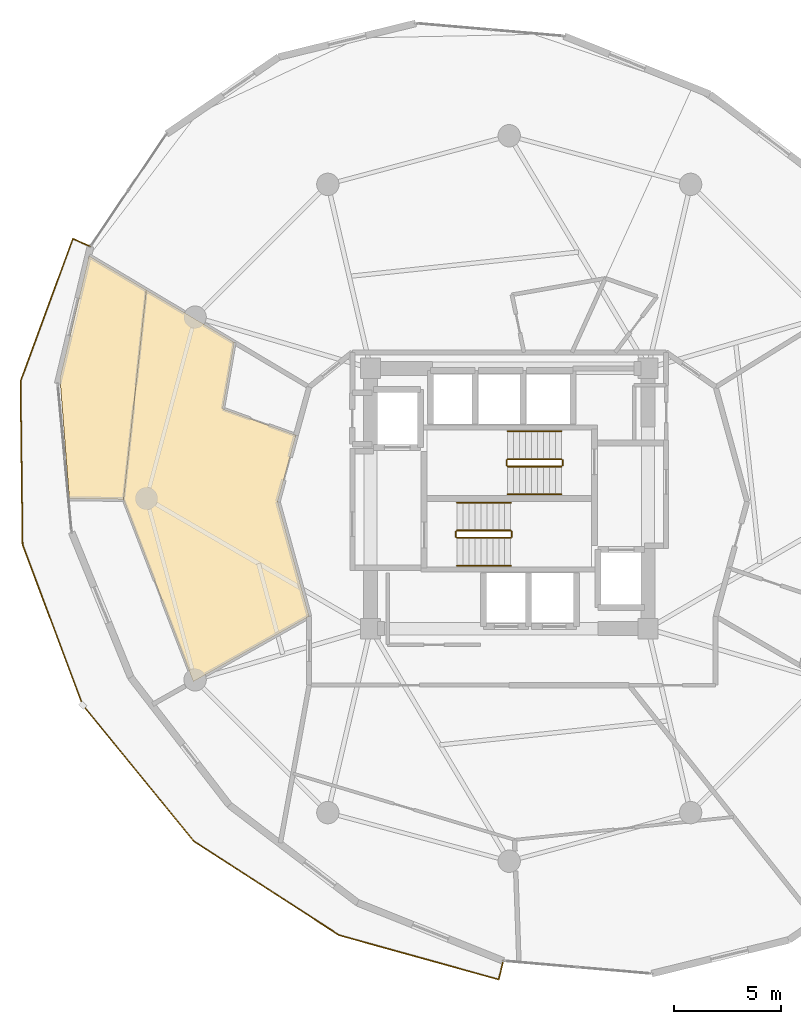
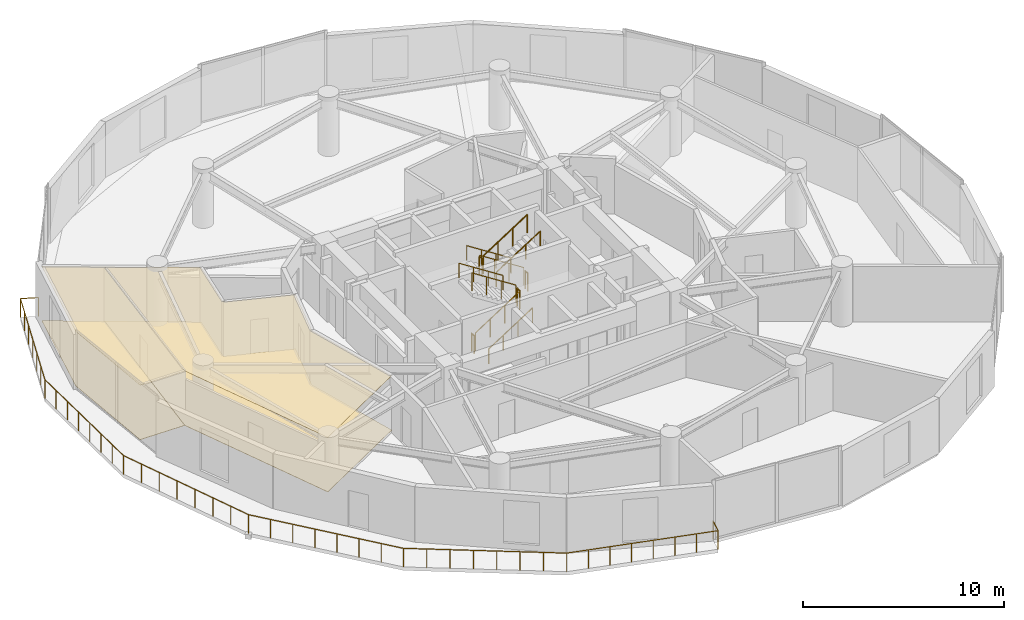
# One storey, part 21 of 22: 13 railings, 4 coverings.
"""IFC4 building model written with IfcOpenShell, lengths in metres."""

import ifcopenshell
import ifcopenshell.guid

model = None  # the IFC model being written
_history = None  # IfcOwnerHistory: only IFC2X3 demands one
_inside = {}  # id of a spatial element -> (the spatial element, [elements in it])
_under = {}  # id of a project, library or spatial element -> (it, [spatial elements below it])
_declared = {}  # id of a project -> (the project, [libraries it declares])
_typed = {}  # id of a type object -> (the type object, [elements of that type])
_made_of = {}  # id of a material, layer set ... -> (it, [elements and type objects made of it])


def new_model(schema):
    """Start an empty IFC model of exactly this schema.

    Asked for "IFC4X3", IfcOpenShell would pick the latest addendum, in which some entities
    have other attributes; the version numbers below select the first issue.
    IFC2X3 requires an IfcOwnerHistory on every rooted entity: one is made here for all.
    """
    global model, _history
    if schema == "IFC4X3":
        model = ifcopenshell.file(schema_version=(4, 3, 0, 0))
    else:
        model = ifcopenshell.file(schema=schema)
    _inside.clear()
    _under.clear()
    _declared.clear()
    _typed.clear()
    _made_of.clear()
    _history = None
    if model.schema == "IFC2X3":
        org = make("IfcOrganization", Name="unknown")
        user = make(
            "IfcPersonAndOrganization",
            ThePerson=make("IfcPerson", FamilyName="unknown"),
            TheOrganization=org,
        )
        app = make(
            "IfcApplication",
            ApplicationDeveloper=org,
            Version="unknown",
            ApplicationFullName="unknown",
            ApplicationIdentifier="unknown",
        )
        _history = make(
            "IfcOwnerHistory",
            OwningUser=user,
            OwningApplication=app,
            ChangeAction="ADDED",
            CreationDate=0,
        )
    return model


def make(cls, **values):
    """One entity of the class cls with the attributes given. An attribute that is None is left unset."""
    return model.create_entity(
        cls, **{name: value for name, value in values.items() if value is not None}
    )


def rooted(cls, **values):
    """An entity with a GlobalId (a new one), such as an element, a storey or a relation."""
    return make(cls, GlobalId=ifcopenshell.guid.new(), OwnerHistory=_history, **values)


def si_unit(unit_type, name, prefix=None):
    """IfcSIUnit, for example si_unit("LENGTHUNIT", "METRE", prefix="MILLI")."""
    return make("IfcSIUnit", UnitType=unit_type, Prefix=prefix, Name=name)


def assignment(units):
    """IfcUnitAssignment: the units of a project."""
    return None if units is None else make("IfcUnitAssignment", Units=units)


def point(xyz):
    """IfcCartesianPoint."""
    return None if xyz is None else make("IfcCartesianPoint", Coordinates=xyz)


def direction(xyz):
    """IfcDirection."""
    return None if xyz is None else make("IfcDirection", DirectionRatios=xyz)


def frame(location, z_axis=None, x_axis=None):
    """IfcAxis2Placement3D, a coordinate frame: its origin and axes. An axis left out is left unset."""
    return make(
        "IfcAxis2Placement3D",
        Location=point(location),
        Axis=direction(z_axis),
        RefDirection=direction(x_axis),
    )


def frame_2d(location, x_axis=None):
    """IfcAxis2Placement2D, a coordinate frame in the plane: its origin and x axis."""
    return make(
        "IfcAxis2Placement2D", Location=point(location), RefDirection=direction(x_axis)
    )


def origin():
    """The frame at (0, 0, 0) with its axes left unset."""
    return frame((0.0, 0.0, 0.0))


def origin_2d():
    """The frame at (0, 0) in the plane with its x axis left unset."""
    return frame_2d((0.0, 0.0))


def place(relative_to, where):
    """IfcLocalPlacement: puts the frame where relative to a parent placement (None: the world)."""
    return make(
        "IfcLocalPlacement", PlacementRelTo=relative_to, RelativePlacement=where
    )


def context(
    kind, dimensions, precision=None, world=None, true_north=None, identifier=None
):
    """IfcGeometricRepresentationContext, for example the 3D "Model" context."""
    return make(
        "IfcGeometricRepresentationContext",
        ContextIdentifier=identifier,
        ContextType=kind,
        CoordinateSpaceDimension=dimensions,
        Precision=precision,
        WorldCoordinateSystem=world,
        TrueNorth=true_north,
    )


def subcontext(parent, identifier, kind, view, scale=None):
    """IfcGeometricRepresentationSubContext, for example "Body" below "Model"."""
    return make(
        "IfcGeometricRepresentationSubContext",
        ContextIdentifier=identifier,
        ContextType=kind,
        ParentContext=parent,
        TargetScale=scale,
        TargetView=view,
    )


def project(units=None, contexts=None):
    """IfcProject with its units and contexts."""
    return rooted(
        "IfcProject",
        Name="project",
        RepresentationContexts=contexts,
        UnitsInContext=assignment(units),
    )


def spatial(cls, under=None, at=None, **own):
    """A site, building, storey or space (cls), placed at a placement, below another one or the project."""
    s = rooted(cls, ObjectPlacement=at, **own)
    if under is not None:
        _under.setdefault(under.id(), (under, []))[1].append(s)
    return s


def polyline(points):
    """IfcPolyline through the points."""
    return make("IfcPolyline", Points=[point(p) for p in points])


def profile(cls, at=None, kind="AREA", **sizes):
    """A parametric profile (cls). Its sizes go by their IFC names, for example OverallWidth=200.0."""
    return make(cls, ProfileType=kind, Position=at, **sizes)


def circle(**sizes):
    """IfcCircleProfileDef."""
    return profile("IfcCircleProfileDef", **sizes)


def outline(outer, holes=None, kind="AREA"):
    """IfcArbitraryClosedProfileDef: a profile drawn as a closed curve; with holes, ...WithVoids."""
    if holes is None:
        return make("IfcArbitraryClosedProfileDef", ProfileType=kind, OuterCurve=outer)
    return make(
        "IfcArbitraryProfileDefWithVoids",
        ProfileType=kind,
        OuterCurve=outer,
        InnerCurves=holes,
    )


def extrude(swept, where, along, depth):
    """IfcExtrudedAreaSolid: the profile swept, set in the frame where, extruded along a direction by depth."""
    return make(
        "IfcExtrudedAreaSolid",
        SweptArea=swept,
        Position=where,
        ExtrudedDirection=direction(along),
        Depth=depth,
    )


def shape(context_of_items, identifier, shape_type, items):
    """IfcShapeRepresentation: the items that make up one representation, for example the "Body"."""
    return make(
        "IfcShapeRepresentation",
        ContextOfItems=context_of_items,
        RepresentationIdentifier=identifier,
        RepresentationType=shape_type,
        Items=items,
    )


def material(Name=None, Category=None):
    """IfcMaterial."""
    return make("IfcMaterial", Name=Name, Category=Category)


def layer(
    of_material, thickness, ventilated=None, Name=None, Category=None, Priority=None
):
    """IfcMaterialLayer: one layer of a wall or slab, of a material (None: an air gap)."""
    return make(
        "IfcMaterialLayer",
        Material=of_material,
        LayerThickness=thickness,
        IsVentilated=ventilated,
        Name=Name,
        Category=Category,
        Priority=Priority,
    )


def layer_set(layers, Name=None):
    """IfcMaterialLayerSet."""
    return make("IfcMaterialLayerSet", MaterialLayers=layers, LayerSetName=Name)


def made_of(thing, what):
    """Note that an element or type object is made of a material, layer set ...; save() writes the relation."""
    if what is not None:
        _made_of.setdefault(what.id(), (what, []))[1].append(thing)
    return thing


def type_object(cls, material=None, **own):
    """A type object (cls), such as IfcWallType, which elements share."""
    return made_of(rooted(cls, **own), material)


def element(
    cls,
    number,
    at=None,
    inside=None,
    cuts=None,
    type_object=None,
    material=None,
    context=None,
    identifier="Body",
    shape_type=None,
    held_by="IfcProductDefinitionShape",
    body=None,
    shapes=None,
    **own,
):
    """One element of the class cls, such as IfcWall. Its Tag is "e" and its number.

    at: its placement. inside: the storey or other place that contains it. cuts: it is an
    opening in that element (IfcRelVoidsElement). A single representation is given by context,
    identifier, shape_type and body (its items); several are given by shapes. held_by: the class
    of the entity that holds the representations. save() writes the other relations.
    """
    e = rooted(cls, Tag="e%d" % number, ObjectPlacement=at, **own)
    if body is not None:
        shapes = [shape(context, identifier, shape_type, body)]
    if shapes is not None:
        e.Representation = make(held_by, Representations=shapes)
    if inside is not None:
        _inside.setdefault(inside.id(), (inside, []))[1].append(e)
    if cuts is not None:
        rooted(
            "IfcRelVoidsElement", RelatingBuildingElement=cuts, RelatedOpeningElement=e
        )
    if type_object is not None:
        _typed.setdefault(type_object.id(), (type_object, []))[1].append(e)
    return made_of(e, material)


def aggregate(whole, parts):
    """IfcRelAggregates: a whole, such as a stair, and the parts it consists of."""
    return rooted("IfcRelAggregates", RelatingObject=whole, RelatedObjects=parts)


def save(model, path):
    """Write the relations noted so far, then the file.

    IfcRelAggregates (storeys below a building ...), IfcRelContainedInSpatialStructure (elements
    in a storey), IfcRelDefinesByType, IfcRelAssociatesMaterial and IfcRelDeclares: one each for
    every whole, place, type object, material and project.
    """
    for whole, parts in _under.values():
        aggregate(whole, parts)
    for where, things in _inside.values():
        rooted(
            "IfcRelContainedInSpatialStructure",
            RelatedElements=things,
            RelatingStructure=where,
        )
    for kind, things in _typed.values():
        rooted("IfcRelDefinesByType", RelatedObjects=things, RelatingType=kind)
    for what, things in _made_of.values():
        rooted("IfcRelAssociatesMaterial", RelatedObjects=things, RelatingMaterial=what)
    for by, libraries in _declared.values():
        rooted("IfcRelDeclares", RelatingContext=by, RelatedDefinitions=libraries)
    model.write(path)


model = new_model("IFC4")

# Units and contexts
model_context = context("Model", 3, precision=1e-05, world=origin(), true_north=direction((0.0, 1.0)))
body_context = subcontext(model_context, "Body", "Model", "MODEL_VIEW")
ifc_project = project(units=[si_unit("LENGTHUNIT", "METRE"), si_unit("AREAUNIT", "SQUARE_METRE"), si_unit("VOLUMEUNIT", "CUBIC_METRE"), si_unit("PLANEANGLEUNIT", "RADIAN"), si_unit("MASSUNIT", "GRAM", prefix="KILO")], contexts=[model_context])

# Site, building, storey
site_placement = place(None, origin())
site = spatial("IfcSite", under=ifc_project, at=site_placement, CompositionType="ELEMENT")
building_placement = place(site_placement, origin())
building = spatial("IfcBuilding", under=site, at=building_placement, Name="Solvirekh Grand Hotel", CompositionType="ELEMENT")
storey_placement = place(building_placement, frame((0.0, 0.0, 145.800048828125)))
storey = spatial("IfcBuildingStorey", under=building, at=storey_placement, Name="L37", CompositionType="ELEMENT", Elevation=145.800048828125)

# Coverings
ifc_material_1 = material(Name="Acoustic Mineral Ceiling Tile")
ifc_layer_1 = layer(ifc_material_1, 0.02490234375)
ifc_layer_set_1 = layer_set([ifc_layer_1], Name="Acoustic Mineral Ceiling Tile")
covering_type_1 = type_object("IfcCoveringType", Name="Cov_Ceiling_Acoustic", PredefinedType="CEILING", material=ifc_layer_set_1)
covering_1_placement = place(storey_placement, frame((0.0, 0.0, 3.300048828125)))
element("IfcCovering", 1, at=covering_1_placement, inside=storey, type_object=covering_type_1, Name="L37 Executive Suite 3903 Living Room acoustic ceiling", PredefinedType="CEILING", context=body_context, shape_type="SweptSolid", body=[
    extrude(outline(polyline([(-13.424072265625, 4.199951171875), (-12.883056640625, 7.31396484375), (-17.008056640625, 9.77099609375), (-18.076904296875, -0.0390625), (-14.804931640625, -8.576904296875), (-9.3759765625, -5.52490234375), (-10.85009765625, -0.14990234375), (-9.9951171875, 2.967041015625), (-13.424072265625, 4.199951171875)])), origin(), (0.0, 0.0, 1.0), 0.017822265625),
])
covering_2_placement = place(storey_placement, frame((0.0, 0.0, 3.300048828125)))
element("IfcCovering", 2, at=covering_2_placement, inside=storey, type_object=covering_type_1, Name="L37 Executive Suite 3903 Master Bedroom acoustic ceiling", PredefinedType="CEILING", context=body_context, shape_type="SweptSolid", body=[
    extrude(outline(polyline([(-19.68994140625, 11.367919921875), (-21.053955078125, 5.64111328125), (-20.615966796875, 0.0), (-18.076904296875, -0.0390625), (-17.008056640625, 9.77099609375), (-19.68994140625, 11.367919921875)])), origin(), (0.0, 0.0, 1.0), 0.017822265625),
])
ifc_material_2 = material(Name="Porcelain Stoneware Flooring", Category="masonry")
ifc_layer_2 = layer(ifc_material_2, 0.030029296875)
ifc_layer_set_2 = layer_set([ifc_layer_2], Name="Porcelain Stoneware Flooring")
covering_type_2 = type_object("IfcCoveringType", Name="Cov_Floor_Stone", PredefinedType="FLOORING", material=ifc_layer_set_2)
covering_3_placement = place(storey_placement, origin())
element("IfcCovering", 3, at=covering_3_placement, inside=storey, type_object=covering_type_2, Name="L37 Executive Suite 3903 Living Room polished granite flooring", PredefinedType="FLOORING", context=body_context, shape_type="SweptSolid", body=[
    extrude(outline(polyline([(-13.424072265625, 4.199951171875), (-12.883056640625, 7.31396484375), (-17.008056640625, 9.77099609375), (-18.076904296875, -0.0390625), (-14.804931640625, -8.576904296875), (-9.3759765625, -5.52490234375), (-10.85009765625, -0.14990234375), (-9.9951171875, 2.967041015625), (-13.424072265625, 4.199951171875)])), origin(), (0.0, 0.0, 1.0), 0.02001953125),
])
covering_4_placement = place(storey_placement, origin())
element("IfcCovering", 4, at=covering_4_placement, inside=storey, type_object=covering_type_2, Name="L37 Executive Suite 3903 Master Bedroom polished granite flooring", PredefinedType="FLOORING", context=body_context, shape_type="SweptSolid", body=[
    extrude(outline(polyline([(-19.68994140625, 11.367919921875), (-21.053955078125, 5.64111328125), (-20.615966796875, 0.0), (-18.076904296875, -0.0390625), (-17.008056640625, 9.77099609375), (-19.68994140625, 11.367919921875)])), origin(), (0.0, 0.0, 1.0), 0.02001953125),
])

# Railings
ifc_material_3 = material(Name="Anodized Bronze Aluminium 6063-T6", Category="aluminium")
railing_type_1 = type_object("IfcRailingType", Name="Guard_ExtGlass_1150", PredefinedType="BALUSTRADE", material=ifc_material_3)
railing_1_placement = place(storey_placement, frame((-19.6240234375, 11.81103515625, 0.0)))
element("IfcRailing", 5, at=railing_1_placement, inside=storey, type_object=railing_type_1, Name="L37 balc perimeter glass balustrade", PredefinedType="BALUSTRADE", context=body_context, shape_type="SweptSolid", body=[
    extrude(circle(Radius=0.02392578125, at=origin_2d()), frame((0.0, 0.0, 1.1259765625), z_axis=(-0.916983746303, 0.398924565571, 0.0), x_axis=(-0.398924565571, -0.916983746303, 0.0)), (0.0, 0.0, 1.0), 0.899658203125),
    extrude(circle(Radius=0.02392578125, at=origin_2d()), frame((-0.824951171875, 0.35888671875, 1.1259765625), z_axis=(-0.345102544956, -0.938564986277, 0.0), x_axis=(0.938564986277, -0.345102544956, 0.0)), (0.0, 0.0, 1.0), 7.114013671875),
    extrude(circle(Radius=0.02392578125, at=origin_2d()), frame((-3.280029296875, -6.318115234375, 1.1259765625), z_axis=(0.012292321091, -0.999924446567, 0.0), x_axis=(0.999924446567, 0.012292321091, 0.0)), (0.0, 0.0, 1.0), 7.646484375),
    extrude(circle(Radius=0.02392578125, at=origin_2d()), frame((-3.18603515625, -13.964111328125, 1.1259765625), z_axis=(0.350707637676, -0.936484998746, 0.0), x_axis=(0.936484998746, 0.350707637676, 0.0)), (0.0, 0.0, 1.0), 8.0439453125),
    extrude(circle(Radius=0.02392578125, at=origin_2d()), frame((-0.364990234375, -21.4970703125, 1.1259765625), z_axis=(0.632541995541, -0.77452606404, 0.0), x_axis=(0.77452606404, 0.632541995541, 0.0)), (0.0, 0.0, 1.0), 8.21923828125),
    extrude(circle(Radius=0.02392578125, at=origin_2d()), frame((4.833984375, -27.863037109375, 1.1259765625), z_axis=(0.839525820803, -0.54331979184, 0.0), x_axis=(0.54331979184, 0.839525820803, 0.0)), (0.0, 0.0, 1.0), 8.1259765625),
    extrude(circle(Radius=0.02392578125, at=origin_2d()), frame((11.656005859375, -32.278076171875, 1.1259765625), z_axis=(0.963552158248, -0.267520538157, 0.0), x_axis=(0.267520538157, 0.963552158248, 0.0)), (0.0, 0.0, 1.0), 7.759765625),
    extrude(circle(Radius=0.02392578125, at=origin_2d()), frame((19.133056640625, -34.35400390625, 1.1259765625), z_axis=(0.234357694494, 0.97215043642, 0.0), x_axis=(-0.97215043642, 0.234357694494, 0.0)), (0.0, 0.0, 1.0), 0.900146484375),
    extrude(circle(Radius=0.02099609375, at=origin_2d()), origin(), (0.0, 0.0, 1.0), 1.101806640625),
    extrude(circle(Radius=0.02099609375, at=origin_2d()), frame((-0.824951171875, 0.35888671875, 0.0)), (0.0, 0.0, 1.0), 1.101806640625),
    extrude(circle(Radius=0.02099609375, at=origin_2d()), frame((-1.234130859375, -0.75390625, 0.0)), (0.0, 0.0, 1.0), 1.101806640625),
    extrude(circle(Radius=0.02099609375, at=origin_2d()), frame((-1.643310546875, -1.86669921875, 0.0)), (0.0, 0.0, 1.0), 1.101806640625),
    extrude(circle(Radius=0.02099609375, at=origin_2d()), frame((-2.052490234375, -2.9794921875, 0.0)), (0.0, 0.0, 1.0), 1.101806640625),
    extrude(circle(Radius=0.02099609375, at=origin_2d()), frame((-2.461669921875, -4.092529296875, 0.0)), (0.0, 0.0, 1.0), 1.101806640625),
    extrude(circle(Radius=0.02099609375, at=origin_2d()), frame((-2.870849609375, -5.205322265625, 0.0)), (0.0, 0.0, 1.0), 1.101806640625),
    extrude(circle(Radius=0.02099609375, at=origin_2d()), frame((-3.280029296875, -6.318115234375, 0.0)), (0.0, 0.0, 1.0), 1.101806640625),
    extrude(circle(Radius=0.02099609375, at=origin_2d()), frame((-3.2666015625, -7.410400390625, 0.0)), (0.0, 0.0, 1.0), 1.101806640625),
    extrude(circle(Radius=0.02099609375, at=origin_2d()), frame((-3.253173828125, -8.502685546875, 0.0)), (0.0, 0.0, 1.0), 1.101806640625),
    extrude(circle(Radius=0.02099609375, at=origin_2d()), frame((-3.23974609375, -9.594970703125, 0.0)), (0.0, 0.0, 1.0), 1.101806640625),
    extrude(circle(Radius=0.02099609375, at=origin_2d()), frame((-3.226318359375, -10.687255859375, 0.0)), (0.0, 0.0, 1.0), 1.101806640625),
    extrude(circle(Radius=0.02099609375, at=origin_2d()), frame((-3.212890625, -11.779541015625, 0.0)), (0.0, 0.0, 1.0), 1.101806640625),
    extrude(circle(Radius=0.02099609375, at=origin_2d()), frame((-3.199462890625, -12.871826171875, 0.0)), (0.0, 0.0, 1.0), 1.101806640625),
    extrude(circle(Radius=0.02099609375, at=origin_2d()), frame((-3.18603515625, -13.964111328125, 0.0)), (0.0, 0.0, 1.0), 1.101806640625),
    extrude(circle(Radius=0.02099609375, at=origin_2d()), frame((-2.782958984375, -15.040283203125, 0.0)), (0.0, 0.0, 1.0), 1.101806640625),
    extrude(circle(Radius=0.02099609375, at=origin_2d()), frame((-2.380126953125, -16.116455078125, 0.0)), (0.0, 0.0, 1.0), 1.101806640625),
    extrude(circle(Radius=0.02099609375, at=origin_2d()), frame((-1.97705078125, -17.192626953125, 0.0)), (0.0, 0.0, 1.0), 1.101806640625),
    extrude(circle(Radius=0.02099609375, at=origin_2d()), frame((-1.573974609375, -18.2685546875, 0.0)), (0.0, 0.0, 1.0), 1.101806640625),
    extrude(circle(Radius=0.02099609375, at=origin_2d()), frame((-1.1708984375, -19.3447265625, 0.0)), (0.0, 0.0, 1.0), 1.101806640625),
    extrude(circle(Radius=0.02099609375, at=origin_2d()), frame((-0.76806640625, -20.4208984375, 0.0)), (0.0, 0.0, 1.0), 1.101806640625),
    extrude(circle(Radius=0.02099609375, at=origin_2d()), frame((-0.364990234375, -21.4970703125, 0.0)), (0.0, 0.0, 1.0), 1.101806640625),
    extrude(circle(Radius=0.02099609375, at=origin_2d()), frame((0.377685546875, -22.406494140625, 0.0)), (0.0, 0.0, 1.0), 1.101806640625),
    extrude(circle(Radius=0.02099609375, at=origin_2d()), frame((1.120361328125, -23.31591796875, 0.0)), (0.0, 0.0, 1.0), 1.101806640625),
    extrude(circle(Radius=0.02099609375, at=origin_2d()), frame((1.863037109375, -24.225341796875, 0.0)), (0.0, 0.0, 1.0), 1.101806640625),
    extrude(circle(Radius=0.02099609375, at=origin_2d()), frame((2.60595703125, -25.134765625, 0.0)), (0.0, 0.0, 1.0), 1.101806640625),
    extrude(circle(Radius=0.02099609375, at=origin_2d()), frame((3.3486328125, -26.044189453125, 0.0)), (0.0, 0.0, 1.0), 1.101806640625),
    extrude(circle(Radius=0.02099609375, at=origin_2d()), frame((4.09130859375, -26.95361328125, 0.0)), (0.0, 0.0, 1.0), 1.101806640625),
    extrude(circle(Radius=0.02099609375, at=origin_2d()), frame((4.833984375, -27.863037109375, 0.0)), (0.0, 0.0, 1.0), 1.101806640625),
    extrude(circle(Radius=0.02099609375, at=origin_2d()), frame((5.80859375, -28.49365234375, 0.0)), (0.0, 0.0, 1.0), 1.101806640625),
    extrude(circle(Radius=0.02099609375, at=origin_2d()), frame((6.783203125, -29.12451171875, 0.0)), (0.0, 0.0, 1.0), 1.101806640625),
    extrude(circle(Radius=0.02099609375, at=origin_2d()), frame((7.7578125, -29.755126953125, 0.0)), (0.0, 0.0, 1.0), 1.101806640625),
    extrude(circle(Radius=0.02099609375, at=origin_2d()), frame((8.732177734375, -30.385986328125, 0.0)), (0.0, 0.0, 1.0), 1.101806640625),
    extrude(circle(Radius=0.02099609375, at=origin_2d()), frame((9.706787109375, -31.0166015625, 0.0)), (0.0, 0.0, 1.0), 1.101806640625),
    extrude(circle(Radius=0.02099609375, at=origin_2d()), frame((10.681396484375, -31.6474609375, 0.0)), (0.0, 0.0, 1.0), 1.101806640625),
    extrude(circle(Radius=0.02099609375, at=origin_2d()), frame((11.656005859375, -32.278076171875, 0.0)), (0.0, 0.0, 1.0), 1.101806640625),
    extrude(circle(Radius=0.02099609375, at=origin_2d()), frame((12.72412109375, -32.57470703125, 0.0)), (0.0, 0.0, 1.0), 1.101806640625),
    extrude(circle(Radius=0.02099609375, at=origin_2d()), frame((13.792236328125, -32.87109375, 0.0)), (0.0, 0.0, 1.0), 1.101806640625),
    extrude(circle(Radius=0.02099609375, at=origin_2d()), frame((14.8603515625, -33.167724609375, 0.0)), (0.0, 0.0, 1.0), 1.101806640625),
    extrude(circle(Radius=0.02099609375, at=origin_2d()), frame((15.9287109375, -33.46435546875, 0.0)), (0.0, 0.0, 1.0), 1.101806640625),
    extrude(circle(Radius=0.02099609375, at=origin_2d()), frame((16.996826171875, -33.760986328125, 0.0)), (0.0, 0.0, 1.0), 1.101806640625),
    extrude(circle(Radius=0.02099609375, at=origin_2d()), frame((18.06494140625, -34.057373046875, 0.0)), (0.0, 0.0, 1.0), 1.101806640625),
    extrude(circle(Radius=0.02099609375, at=origin_2d()), frame((19.133056640625, -34.35400390625, 0.0)), (0.0, 0.0, 1.0), 1.101806640625),
    extrude(circle(Radius=0.02099609375, at=origin_2d()), frame((19.343994140625, -33.47900390625, 0.0)), (0.0, 0.0, 1.0), 1.101806640625),
])
ifc_material_4 = material(Name="Steel S355", Category="steel")
railing_type_2 = type_object("IfcRailingType", Name="Guard_Stair_1100", PredefinedType="GUARDRAIL", material=ifc_material_4)
railing_2_placement = place(storey_placement, frame((-2.449951171875, -1.85009765625, 0.179931640625)))
element("IfcRailing", 6, at=railing_2_placement, inside=storey, type_object=railing_type_2, Name="L37 ST-1 stair guard 1", PredefinedType="GUARDRAIL", context=body_context, shape_type="SweptSolid", body=[
    extrude(circle(Radius=0.02392578125, at=origin_2d()), frame((0.0, 0.0, 1.076171875), z_axis=(0.841162588446, 0.0, 0.540782303519), x_axis=(0.0, 1.0, 0.0)), (0.0, 0.0, 1.0), 2.995849609375),
    extrude(circle(Radius=0.02099609375, at=origin_2d()), origin(), (0.0, 0.0, 1.0), 1.052001953125),
    extrude(circle(Radius=0.02099609375, at=origin_2d()), frame((0.840087890625, 0.0, 0.5400390625)), (0.0, 0.0, 1.0), 1.052001953125),
    extrude(circle(Radius=0.02099609375, at=origin_2d()), frame((1.679931640625, 0.0, 1.080078125)), (0.0, 0.0, 1.0), 1.052001953125),
    extrude(circle(Radius=0.02099609375, at=origin_2d()), frame((2.52001953125, 0.0, 1.6201171875)), (0.0, 0.0, 1.0), 1.052001953125),
])
railing_3_placement = place(storey_placement, frame((0.1201171875, -1.800048828125, 1.800048828125)))
element("IfcRailing", 7, at=railing_3_placement, inside=storey, type_object=railing_type_2, Name="L37 ST-1 stair guard 2", PredefinedType="GUARDRAIL", context=body_context, shape_type="SweptSolid", body=[
    extrude(circle(Radius=0.02392578125, at=origin_2d()), frame((0.0, 0.0, 1.076171875), z_axis=(0.0, 1.0, 0.0), x_axis=(-1.0, 0.0, 0.0)), (0.0, 0.0, 1.0), 0.25),
    extrude(circle(Radius=0.02099609375, at=origin_2d()), origin(), (0.0, 0.0, 1.0), 1.052001953125),
    extrude(circle(Radius=0.02099609375, at=origin_2d()), frame((0.0, 0.25, 0.0)), (0.0, 0.0, 1.0), 1.052001953125),
])
railing_4_placement = place(storey_placement, frame((0.070068359375, -1.5, 1.97998046875)))
element("IfcRailing", 8, at=railing_4_placement, inside=storey, type_object=railing_type_2, Name="L37 ST-1 stair guard 3", PredefinedType="GUARDRAIL", context=body_context, shape_type="SweptSolid", body=[
    extrude(circle(Radius=0.02392578125, at=origin_2d()), frame((0.0, 0.0, 1.076171875), z_axis=(-0.841199657755, 0.0, 0.540724639528), x_axis=(0.0, -1.0, 0.0)), (0.0, 0.0, 1.0), 2.995849609375),
    extrude(circle(Radius=0.02099609375, at=origin_2d()), origin(), (0.0, 0.0, 1.0), 1.052001953125),
    extrude(circle(Radius=0.02099609375, at=origin_2d()), frame((-0.840087890625, 0.0, 0.5400390625)), (0.0, 0.0, 1.0), 1.052001953125),
    extrude(circle(Radius=0.02099609375, at=origin_2d()), frame((-1.679931640625, 0.0, 1.079833984375)), (0.0, 0.0, 1.0), 1.052001953125),
    extrude(circle(Radius=0.02099609375, at=origin_2d()), frame((-2.52001953125, 0.0, 1.619873046875)), (0.0, 0.0, 1.0), 1.052001953125),
])
railing_5_placement = place(storey_placement, frame((-2.5, -1.800048828125, 0.0)))
element("IfcRailing", 9, at=railing_5_placement, inside=storey, type_object=railing_type_2, Name="L37 ST-1 stair guard 4", PredefinedType="GUARDRAIL", context=body_context, shape_type="SweptSolid", body=[
    extrude(circle(Radius=0.02392578125, at=origin_2d()), frame((0.0, 0.0, 1.076171875), z_axis=(0.0, 1.0, 0.0), x_axis=(-1.0, 0.0, 0.0)), (0.0, 0.0, 1.0), 0.25),
    extrude(circle(Radius=0.02099609375, at=origin_2d()), origin(), (0.0, 0.0, 1.0), 1.052001953125),
    extrude(circle(Radius=0.02099609375, at=origin_2d()), frame((0.0, 0.25, 0.0)), (0.0, 0.0, 1.0), 1.052001953125),
])
railing_6_placement = place(storey_placement, frame((2.449951171875, 1.85009765625, 0.179931640625)))
element("IfcRailing", 10, at=railing_6_placement, inside=storey, type_object=railing_type_2, Name="L37 ST-2 stair guard 1", PredefinedType="GUARDRAIL", context=body_context, shape_type="SweptSolid", body=[
    extrude(circle(Radius=0.02392578125, at=origin_2d()), frame((0.0, 0.0, 1.076171875), z_axis=(-0.841162588446, 0.0, 0.540782303519), x_axis=(0.0, -1.0, 0.0)), (0.0, 0.0, 1.0), 2.995849609375),
    extrude(circle(Radius=0.02099609375, at=origin_2d()), origin(), (0.0, 0.0, 1.0), 1.052001953125),
    extrude(circle(Radius=0.02099609375, at=origin_2d()), frame((-0.840087890625, 0.0, 0.5400390625)), (0.0, 0.0, 1.0), 1.052001953125),
    extrude(circle(Radius=0.02099609375, at=origin_2d()), frame((-1.679931640625, 0.0, 1.080078125)), (0.0, 0.0, 1.0), 1.052001953125),
    extrude(circle(Radius=0.02099609375, at=origin_2d()), frame((-2.52001953125, 0.0, 1.6201171875)), (0.0, 0.0, 1.0), 1.052001953125),
])
railing_7_placement = place(storey_placement, frame((-0.1201171875, 1.800048828125, 1.800048828125)))
element("IfcRailing", 11, at=railing_7_placement, inside=storey, type_object=railing_type_2, Name="L37 ST-2 stair guard 2", PredefinedType="GUARDRAIL", context=body_context, shape_type="SweptSolid", body=[
    extrude(circle(Radius=0.02392578125, at=origin_2d()), frame((0.0, 0.0, 1.076171875), z_axis=(0.0, -1.0, 0.0), x_axis=(1.0, 0.0, 0.0)), (0.0, 0.0, 1.0), 0.25),
    extrude(circle(Radius=0.02099609375, at=origin_2d()), origin(), (0.0, 0.0, 1.0), 1.052001953125),
    extrude(circle(Radius=0.02099609375, at=origin_2d()), frame((0.0, -0.25, 0.0)), (0.0, 0.0, 1.0), 1.052001953125),
])
railing_8_placement = place(storey_placement, frame((-0.070068359375, 1.5, 1.97998046875)))
element("IfcRailing", 12, at=railing_8_placement, inside=storey, type_object=railing_type_2, Name="L37 ST-2 stair guard 3", PredefinedType="GUARDRAIL", context=body_context, shape_type="SweptSolid", body=[
    extrude(circle(Radius=0.02392578125, at=origin_2d()), frame((0.0, 0.0, 1.076171875), z_axis=(0.841199657755, 0.0, 0.540724639528), x_axis=(0.0, 1.0, 0.0)), (0.0, 0.0, 1.0), 2.995849609375),
    extrude(circle(Radius=0.02099609375, at=origin_2d()), origin(), (0.0, 0.0, 1.0), 1.052001953125),
    extrude(circle(Radius=0.02099609375, at=origin_2d()), frame((0.840087890625, 0.0, 0.5400390625)), (0.0, 0.0, 1.0), 1.052001953125),
    extrude(circle(Radius=0.02099609375, at=origin_2d()), frame((1.679931640625, 0.0, 1.079833984375)), (0.0, 0.0, 1.0), 1.052001953125),
    extrude(circle(Radius=0.02099609375, at=origin_2d()), frame((2.52001953125, 0.0, 1.619873046875)), (0.0, 0.0, 1.0), 1.052001953125),
])
railing_9_placement = place(storey_placement, frame((2.5, 1.800048828125, 0.0)))
element("IfcRailing", 13, at=railing_9_placement, inside=storey, type_object=railing_type_2, Name="L37 ST-2 stair guard 4", PredefinedType="GUARDRAIL", context=body_context, shape_type="SweptSolid", body=[
    extrude(circle(Radius=0.02392578125, at=origin_2d()), frame((0.0, 0.0, 1.076171875), z_axis=(0.0, -1.0, 0.0), x_axis=(1.0, 0.0, 0.0)), (0.0, 0.0, 1.0), 0.25),
    extrude(circle(Radius=0.02099609375, at=origin_2d()), origin(), (0.0, 0.0, 1.0), 1.052001953125),
    extrude(circle(Radius=0.02099609375, at=origin_2d()), frame((0.0, -0.25, 0.0)), (0.0, 0.0, 1.0), 1.052001953125),
])
railing_type_3 = type_object("IfcRailingType", Name="Handrail_Wall_900", PredefinedType="HANDRAIL", material=ifc_material_3)
railing_10_placement = place(storey_placement, frame((-2.449951171875, -3.14990234375, 0.179931640625)))
element("IfcRailing", 14, at=railing_10_placement, inside=storey, type_object=railing_type_3, Name="L37 ST-1 stair handrail 1", PredefinedType="HANDRAIL", context=body_context, shape_type="SweptSolid", body=[
    extrude(circle(Radius=0.02392578125, at=origin_2d()), frame((0.0, 0.0, 0.8759765625), z_axis=(0.841162588446, 0.0, 0.540782303519), x_axis=(0.0, 1.0, 0.0)), (0.0, 0.0, 1.0), 2.995849609375),
    extrude(circle(Radius=0.02099609375, at=origin_2d()), origin(), (0.0, 0.0, 1.0), 0.851806640625),
    extrude(circle(Radius=0.02099609375, at=origin_2d()), frame((0.840087890625, 0.0, 0.5400390625)), (0.0, 0.0, 1.0), 0.851806640625),
    extrude(circle(Radius=0.02099609375, at=origin_2d()), frame((1.679931640625, 0.0, 1.080078125)), (0.0, 0.0, 1.0), 0.851806640625),
    extrude(circle(Radius=0.02099609375, at=origin_2d()), frame((2.52001953125, 0.0, 1.6201171875)), (0.0, 0.0, 1.0), 0.851806640625),
])
railing_11_placement = place(storey_placement, frame((0.070068359375, -0.199951171875, 1.97998046875)))
element("IfcRailing", 15, at=railing_11_placement, inside=storey, type_object=railing_type_3, Name="L37 ST-1 stair handrail 2", PredefinedType="HANDRAIL", context=body_context, shape_type="SweptSolid", body=[
    extrude(circle(Radius=0.02392578125, at=origin_2d()), frame((0.0, 0.0, 0.8759765625), z_axis=(-0.841199657755, 0.0, 0.540724639528), x_axis=(0.0, -1.0, 0.0)), (0.0, 0.0, 1.0), 2.995849609375),
    extrude(circle(Radius=0.02099609375, at=origin_2d()), origin(), (0.0, 0.0, 1.0), 0.851806640625),
    extrude(circle(Radius=0.02099609375, at=origin_2d()), frame((-0.840087890625, 0.0, 0.5400390625)), (0.0, 0.0, 1.0), 0.851806640625),
    extrude(circle(Radius=0.02099609375, at=origin_2d()), frame((-1.679931640625, 0.0, 1.079833984375)), (0.0, 0.0, 1.0), 0.851806640625),
    extrude(circle(Radius=0.02099609375, at=origin_2d()), frame((-2.52001953125, 0.0, 1.619873046875)), (0.0, 0.0, 1.0), 0.851806640625),
])
railing_12_placement = place(storey_placement, frame((2.449951171875, 3.14990234375, 0.179931640625)))
element("IfcRailing", 16, at=railing_12_placement, inside=storey, type_object=railing_type_3, Name="L37 ST-2 stair handrail 1", PredefinedType="HANDRAIL", context=body_context, shape_type="SweptSolid", body=[
    extrude(circle(Radius=0.02392578125, at=origin_2d()), frame((0.0, 0.0, 0.8759765625), z_axis=(-0.841162588446, 0.0, 0.540782303519), x_axis=(0.0, -1.0, 0.0)), (0.0, 0.0, 1.0), 2.995849609375),
    extrude(circle(Radius=0.02099609375, at=origin_2d()), origin(), (0.0, 0.0, 1.0), 0.851806640625),
    extrude(circle(Radius=0.02099609375, at=origin_2d()), frame((-0.840087890625, 0.0, 0.5400390625)), (0.0, 0.0, 1.0), 0.851806640625),
    extrude(circle(Radius=0.02099609375, at=origin_2d()), frame((-1.679931640625, 0.0, 1.080078125)), (0.0, 0.0, 1.0), 0.851806640625),
    extrude(circle(Radius=0.02099609375, at=origin_2d()), frame((-2.52001953125, 0.0, 1.6201171875)), (0.0, 0.0, 1.0), 0.851806640625),
])
railing_13_placement = place(storey_placement, frame((-0.070068359375, 0.199951171875, 1.97998046875)))
element("IfcRailing", 17, at=railing_13_placement, inside=storey, type_object=railing_type_3, Name="L37 ST-2 stair handrail 2", PredefinedType="HANDRAIL", context=body_context, shape_type="SweptSolid", body=[
    extrude(circle(Radius=0.02392578125, at=origin_2d()), frame((0.0, 0.0, 0.8759765625), z_axis=(0.841199657755, 0.0, 0.540724639528), x_axis=(0.0, 1.0, 0.0)), (0.0, 0.0, 1.0), 2.995849609375),
    extrude(circle(Radius=0.02099609375, at=origin_2d()), origin(), (0.0, 0.0, 1.0), 0.851806640625),
    extrude(circle(Radius=0.02099609375, at=origin_2d()), frame((0.840087890625, 0.0, 0.5400390625)), (0.0, 0.0, 1.0), 0.851806640625),
    extrude(circle(Radius=0.02099609375, at=origin_2d()), frame((1.679931640625, 0.0, 1.079833984375)), (0.0, 0.0, 1.0), 0.851806640625),
    extrude(circle(Radius=0.02099609375, at=origin_2d()), frame((2.52001953125, 0.0, 1.619873046875)), (0.0, 0.0, 1.0), 0.851806640625),
])

save(model, "model.ifc")
